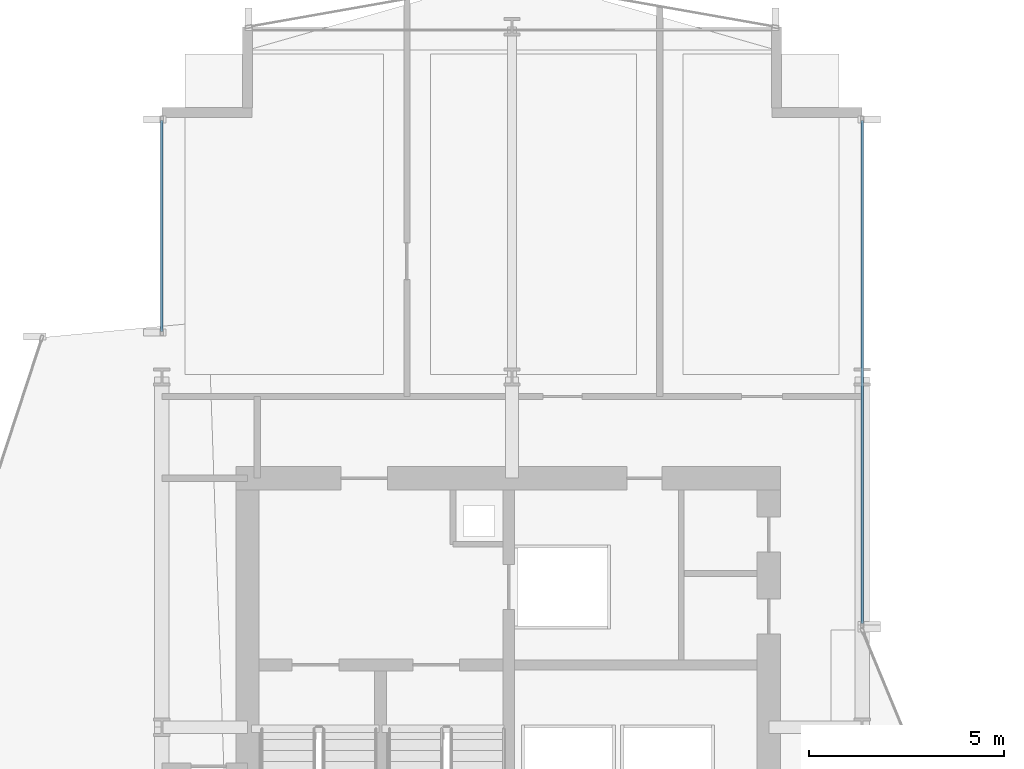
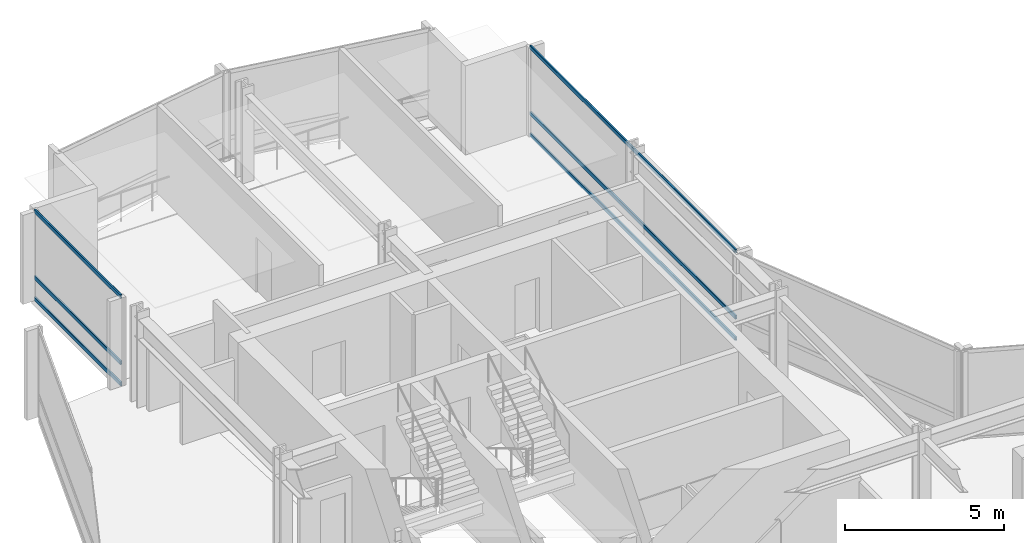
# One storey, part 22 of 34: 6 members, 2 elements without a shape of their own.
"""IFC4 building model written with IfcOpenShell, lengths in metres."""

from ifc_helpers import new_model, si_unit, direction, frame, origin, origin_2d, place, context, subcontext, project, spatial, hollow_rectangle, extrude, material, layer, layer_set, material_profile, profile_set, type_object, element, aggregate, save


model = new_model("IFC4")

# Units and contexts
model_context = context("Model", 3, precision=1e-05, world=origin(), true_north=direction((0.0, 1.0)))
body_context = subcontext(model_context, "Body", "Model", "MODEL_VIEW")
ifc_project = project(units=[si_unit("LENGTHUNIT", "METRE"), si_unit("AREAUNIT", "SQUARE_METRE"), si_unit("VOLUMEUNIT", "CUBIC_METRE"), si_unit("PLANEANGLEUNIT", "RADIAN"), si_unit("MASSUNIT", "GRAM", prefix="KILO")], contexts=[model_context])

# Site, building, storey
site_placement = place(None, origin())
site = spatial("IfcSite", under=ifc_project, at=site_placement, CompositionType="ELEMENT")
building_placement = place(site_placement, origin())
building = spatial("IfcBuilding", under=site, at=building_placement, Name="Solvaryn Broadcast Tower", CompositionType="ELEMENT")
storey_placement = place(building_placement, frame((0.0, 0.0, 92.800048828125)))
storey = spatial("IfcBuildingStorey", under=building, at=storey_placement, Name="L22", CompositionType="ELEMENT", Elevation=92.800048828125)

# Curtain wall, members
ifc_material_1 = material(Name="Aluminium and Terracotta Unitised Curtain Wall", Category="masonry")
ifc_layer = layer(ifc_material_1, 0.199951171875)
ifc_layer_set = layer_set([ifc_layer], Name="CW-SYS2-LOWMID")
curtain_wall_type = type_object("IfcCurtainWallType", Name="CW-SYS2-LOWMID", PredefinedType="NOTDEFINED", material=ifc_layer_set)
curtain_wall_1_placement = place(storey_placement, origin())
curtain_wall_1 = element("IfcCurtainWall", 1, at=curtain_wall_1_placement, inside=storey, type_object=curtain_wall_type, Name="L22 Curtain Wall W2", PredefinedType="NOTDEFINED")
ifc_material_2 = material(Name="Anodised Aluminium 6063-T6", Category="aluminium")
ifc_material_profile = material_profile(ifc_material_2, hollow_rectangle(XDim=0.06494140625, YDim=0.14990234375, WallThickness=0.00390625, InnerFilletRadius=0.00390625, OuterFilletRadius=0.008056640625, at=origin_2d()))
ifc_profile_set = profile_set([ifc_material_profile], Name="Anodised Aluminium 6063-T6")
member_type = type_object("IfcMemberType", Name="CW-TRN-150", PredefinedType="USERDEFINED", material=ifc_profile_set)
member_1_placement = place(storey_placement, frame((9.0, 46.176025390625, 0.030029296875), z_axis=(0.0, 1.0, 0.0), x_axis=(-1.0, 0.0, 0.0)))
member_1 = element("IfcMember", 2, at=member_1_placement, type_object=member_type, Name="CWS2 transom 1.1", ObjectType="TRANSOM", PredefinedType="USERDEFINED", context=body_context, shape_type="SweptSolid", body=[
    extrude(hollow_rectangle(XDim=0.06494140625, YDim=0.14990234375, WallThickness=0.00390625, InnerFilletRadius=0.00390625, OuterFilletRadius=0.008056640625, at=origin_2d()), origin(), (0.0, 0.0, 1.0), 5.4140625),
])
member_2_placement = place(storey_placement, frame((9.0, 46.176025390625, 0.849853515625), z_axis=(0.0, 1.0, 0.0), x_axis=(-1.0, 0.0, 0.0)))
member_2 = element("IfcMember", 3, at=member_2_placement, type_object=member_type, Name="CWS2 transom 1.2", ObjectType="TRANSOM", PredefinedType="USERDEFINED", context=body_context, shape_type="SweptSolid", body=[
    extrude(hollow_rectangle(XDim=0.06494140625, YDim=0.14990234375, WallThickness=0.00390625, InnerFilletRadius=0.00390625, OuterFilletRadius=0.008056640625, at=origin_2d()), origin(), (0.0, 0.0, 1.0), 5.4140625),
])
member_3_placement = place(storey_placement, frame((9.0, 46.176025390625, 3.389892578125), z_axis=(0.0, 1.0, 0.0), x_axis=(-1.0, 0.0, 0.0)))
member_3 = element("IfcMember", 4, at=member_3_placement, type_object=member_type, Name="CWS2 transom 1.3", ObjectType="TRANSOM", PredefinedType="USERDEFINED", context=body_context, shape_type="SweptSolid", body=[
    extrude(hollow_rectangle(XDim=0.06494140625, YDim=0.14990234375, WallThickness=0.00390625, InnerFilletRadius=0.00390625, OuterFilletRadius=0.008056640625, at=origin_2d()), origin(), (0.0, 0.0, 1.0), 5.4140625),
])
aggregate(curtain_wall_1, [member_1, member_2, member_3])

curtain_wall_2_placement = place(storey_placement, origin())
curtain_wall_2 = element("IfcCurtainWall", 5, at=curtain_wall_2_placement, inside=storey, type_object=curtain_wall_type, Name="L22 Curtain Wall IV", PredefinedType="NOTDEFINED")
member_4_placement = place(storey_placement, frame((27.0, 51.590087890625, 0.030029296875), z_axis=(0.0, -1.0, 0.0), x_axis=(1.0, 0.0, 0.0)))
member_4 = element("IfcMember", 6, at=member_4_placement, type_object=member_type, Name="CWS2 transom 1.1", ObjectType="TRANSOM", PredefinedType="USERDEFINED", context=body_context, shape_type="SweptSolid", body=[
    extrude(hollow_rectangle(XDim=0.06494140625, YDim=0.14990234375, WallThickness=0.00390625, InnerFilletRadius=0.00390625, OuterFilletRadius=0.008056640625, at=origin_2d()), origin(), (0.0, 0.0, 1.0), 12.93017578125),
])
member_5_placement = place(storey_placement, frame((27.0, 51.590087890625, 0.849853515625), z_axis=(0.0, -1.0, 0.0), x_axis=(1.0, 0.0, 0.0)))
member_5 = element("IfcMember", 7, at=member_5_placement, type_object=member_type, Name="CWS2 transom 1.2", ObjectType="TRANSOM", PredefinedType="USERDEFINED", context=body_context, shape_type="SweptSolid", body=[
    extrude(hollow_rectangle(XDim=0.06494140625, YDim=0.14990234375, WallThickness=0.00390625, InnerFilletRadius=0.00390625, OuterFilletRadius=0.008056640625, at=origin_2d()), origin(), (0.0, 0.0, 1.0), 12.93017578125),
])
member_6_placement = place(storey_placement, frame((27.0, 51.590087890625, 3.389892578125), z_axis=(0.0, -1.0, 0.0), x_axis=(1.0, 0.0, 0.0)))
member_6 = element("IfcMember", 8, at=member_6_placement, type_object=member_type, Name="CWS2 transom 1.3", ObjectType="TRANSOM", PredefinedType="USERDEFINED", context=body_context, shape_type="SweptSolid", body=[
    extrude(hollow_rectangle(XDim=0.06494140625, YDim=0.14990234375, WallThickness=0.00390625, InnerFilletRadius=0.00390625, OuterFilletRadius=0.008056640625, at=origin_2d()), origin(), (0.0, 0.0, 1.0), 12.93017578125),
])
aggregate(curtain_wall_2, [member_4, member_5, member_6])

save(model, "model.ifc")
